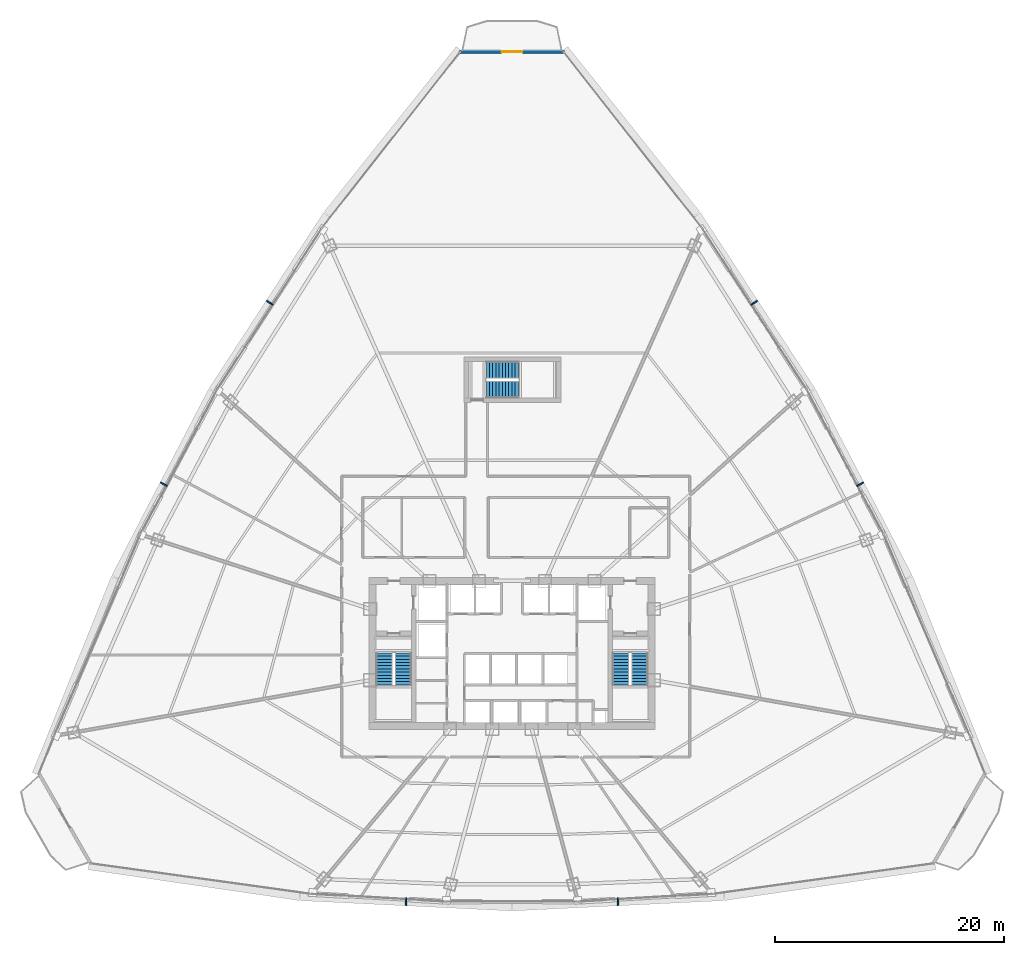
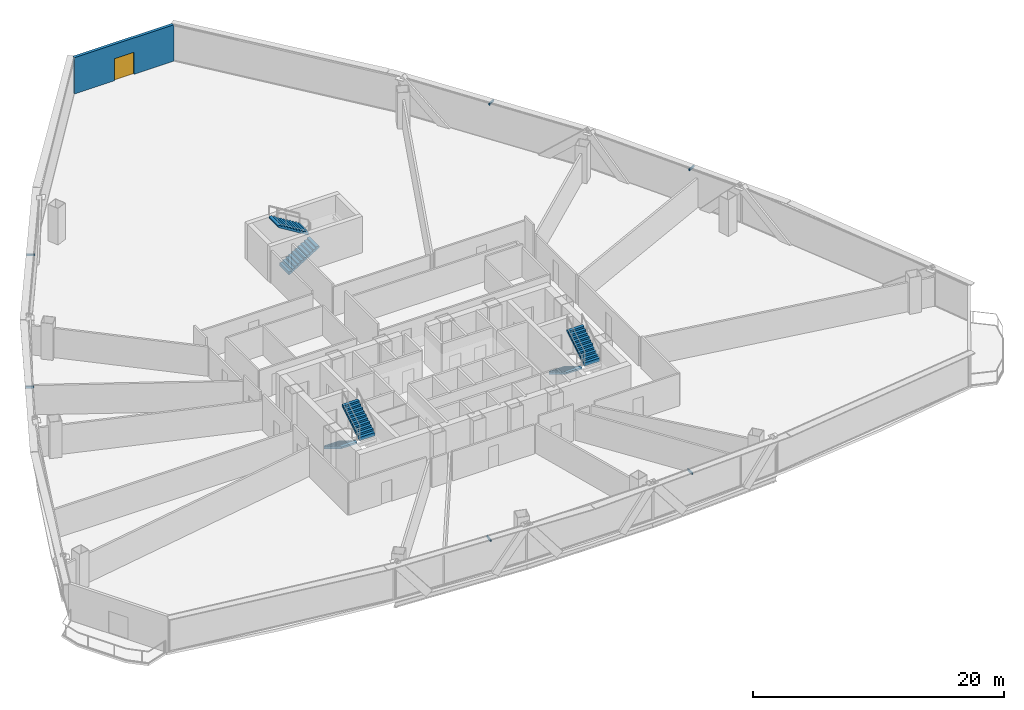
# One storey, part 32 of 36: 6 discrete accessories, 6 stair flights, 1 door, 1 wall, 1 opening, 3 elements without a shape of their own.
"""IFC4 building model written with IfcOpenShell, lengths in metres."""

from ifc_helpers import new_model, si_unit, direction, frame, frame_2d, origin, origin_with_axes, origin_2d, place, context, subcontext, project, spatial, polyline, rectangle, outline, extrude, source, transform, mapped, material, layer, layer_set, type_object, element, fill, aggregate, save


model = new_model("IFC4")

# Units and contexts
model_context = context("Model", 3, precision=1e-05, world=origin(), true_north=direction((0.0, 1.0)))
body_context = subcontext(model_context, "Body", "Model", "MODEL_VIEW")
ifc_project = project(units=[si_unit("LENGTHUNIT", "METRE"), si_unit("AREAUNIT", "SQUARE_METRE"), si_unit("VOLUMEUNIT", "CUBIC_METRE"), si_unit("PLANEANGLEUNIT", "RADIAN"), si_unit("MASSUNIT", "GRAM", prefix="KILO"), si_unit("THERMODYNAMICTEMPERATUREUNIT", "KELVIN"), si_unit("POWERUNIT", "WATT")], contexts=[model_context])

# Site, building, storey
site_placement = place(None, origin())
site = spatial("IfcSite", under=ifc_project, at=site_placement, CompositionType="ELEMENT")
building_placement = place(site_placement, origin())
building = spatial("IfcBuilding", under=site, at=building_placement, Name="Yunzhuo Pagoda Commons", CompositionType="ELEMENT")
storey_placement = place(building_placement, frame((0.0, 0.0, 107.780029296875)))
storey = spatial("IfcBuildingStorey", under=building, at=storey_placement, Name="L27", CompositionType="ELEMENT", Elevation=107.780029296875)

# Wall, opening, door
ifc_material_1 = material(Name="Precast concrete C40", Category="concrete")
ifc_layer = layer(ifc_material_1, 0.260009765625)
ifc_layer_set = layer_set([ifc_layer], Name="Precast concrete C40")
wall_type = type_object("IfcWallType", Name="W-BAL1 Corner Balcony Threshold Wall 260", PredefinedType="STANDARD", material=ifc_layer_set)
wall_placement = place(storey_placement, frame((52.572021484375, 86.489013671875, 0.0), z_axis=(0.0, 0.0, 1.0), x_axis=(-1.0, 0.0, 0.0)))
wall = element("IfcWall", 1, at=wall_placement, inside=storey, type_object=wall_type, Name="L27 corner balcony wall V3", PredefinedType="STANDARD", context=body_context, shape_type="SweptSolid", body=[
    extrude(rectangle(XDim=9.14404296875, YDim=0.260009765625, at=frame_2d((4.572021484375, 0.0))), origin(), (0.0, 0.0, 1.0), 3.5400390625),
])
opening_placement = place(wall_placement, frame((3.672119140625, 0.0, 0.0)))
opening = element("IfcOpeningElement", 2, at=opening_placement, cuts=wall, Name="Opening D-BAL1", PredefinedType="OPENING", context=body_context, shape_type="SweptSolid", body=[
    extrude(rectangle(XDim=1.800048828125, YDim=2.14990234375, at=frame_2d((0.89990234375, 1.074951171875))), frame((0.0, 0.14013671875, 0.0), z_axis=(0.0, -1.0, 0.0), x_axis=(1.0, 0.0, 0.0)), (0.0, 0.0, 1.0), 0.280029296875),
])
ifc_material_2 = material(Name="Anodized aluminium frame and tempered glazed leaf", Category="aluminium")
door_type = type_object("IfcDoorType", Name="D-BAL1 Corner Balcony Sliding Glazed Door 1800x2150", OperationType="DOUBLE_DOOR_SLIDING", PredefinedType="DOOR", material=ifc_material_2)
shared_shape_1 = source(origin(), body_context, "Body", "SweptSolid", [
    extrude(rectangle(XDim=1.800048828125, YDim=2.14990234375, at=frame_2d((0.89990234375, 1.074951171875))), frame((0.0, 0.02490234375, 0.0), z_axis=(0.0, -1.0, 0.0), x_axis=(1.0, 0.0, 0.0)), (0.0, 0.0, 1.0), 0.050048828125),
])
door_placement = place(opening_placement, origin_with_axes())
door = element("IfcDoor", 3, at=door_placement, inside=storey, type_object=door_type, Name="L27 corner balcony sliding door V3", OperationType="DOUBLE_DOOR_SLIDING", OverallHeight=2.14990234375, OverallWidth=1.800048828125, PredefinedType="DOOR", context=body_context, shape_type="MappedRepresentation", body=[
    mapped(shared_shape_1, transform((0.0, 0.0, 0.0), scale=1.0)),
])
fill(opening, door)

# Stair, stair flights
ifc_material_3 = material(Name="Concrete C40", Category="concrete")
stair_type_1 = type_object("IfcStairType", Name="ST-C1 Core Smokeproof Stair ST1", PredefinedType="HALF_TURN_STAIR", material=ifc_material_3)
stair_1_placement = place(storey_placement, origin())
stair_1 = element("IfcStair", 4, at=stair_1_placement, inside=storey, type_object=stair_type_1, Name="L27 Core smokeproof stair ST1", PredefinedType="HALF_TURN_STAIR")
stair_flight_type_1 = type_object("IfcStairFlightType", Name="STF-C1 Core Stair Flight 1450", PredefinedType="STRAIGHT", material=ifc_material_3)
shared_shape_2 = source(origin(), body_context, "Body", "SweptSolid", [
    extrude(outline(polyline([(0.0, -0.14990234375), (0.0, 0.0), (0.0, 0.172607421875), (0.280029296875, 0.172607421875), (0.280029296875, 0.345458984375), (0.56005859375, 0.345458984375), (0.56005859375, 0.51806640625), (0.840087890625, 0.51806640625), (0.840087890625, 0.69091796875), (1.1201171875, 0.69091796875), (1.1201171875, 0.863525390625), (1.39990234375, 0.863525390625), (1.39990234375, 1.036376953125), (1.679931640625, 1.036376953125), (1.679931640625, 1.208984375), (1.9599609375, 1.208984375), (1.9599609375, 1.3818359375), (2.239990234375, 1.3818359375), (2.239990234375, 1.554443359375), (2.52001953125, 1.554443359375), (2.52001953125, 1.727294921875), (2.800048828125, 1.727294921875), (2.800048828125, 1.89990234375), (2.800048828125, 1.551025390625), (0.285400390625, 0.0), (0.050048828125, -0.14990234375), (0.0, -0.14990234375)])), frame((0.0, 0.72509765625, 0.0), z_axis=(0.0, -1.0, 0.0), x_axis=(1.0, 0.0, 0.0)), (0.0, 0.0, 1.0), 1.449951171875),
])
stair_flight_1_placement = place(storey_placement, frame((36.824951171875, 33.89990234375, 0.0), z_axis=(0.0, 0.0, 1.0), x_axis=(0.0, -1.0, 0.0)))
stair_flight_1 = element("IfcStairFlight", 5, at=stair_flight_1_placement, type_object=stair_flight_type_1, Name="ST1 flight 1", NumberOfRisers=11, NumberOfTreads=10, PredefinedType="STRAIGHT", RiserHeight=0.172727273, TreadLength=0.28, context=body_context, shape_type="MappedRepresentation", body=[
    mapped(shared_shape_2, transform((0.0, 0.0, 0.0), scale=1.0)),
])
stair_flight_2_placement = place(storey_placement, frame((38.47509765625, 31.10009765625, 1.89990234375), z_axis=(0.0, 0.0, 1.0), x_axis=(0.0, 1.0, 0.0)))
stair_flight_2 = element("IfcStairFlight", 6, at=stair_flight_2_placement, type_object=stair_flight_type_1, Name="ST1 flight 2", NumberOfRisers=11, NumberOfTreads=10, PredefinedType="STRAIGHT", RiserHeight=0.172727273, TreadLength=0.28, context=body_context, shape_type="MappedRepresentation", body=[
    mapped(shared_shape_2, transform((0.0, 0.0, 0.0), scale=1.0)),
])
aggregate(stair_1, [stair_flight_1, stair_flight_2])

stair_type_2 = type_object("IfcStairType", Name="ST-C2 Core Smokeproof Stair ST2", PredefinedType="HALF_TURN_STAIR", material=ifc_material_3)
stair_2_placement = place(storey_placement, origin())
stair_2 = element("IfcStair", 7, at=stair_2_placement, inside=storey, type_object=stair_type_2, Name="L27 Core smokeproof stair ST2", PredefinedType="HALF_TURN_STAIR")
stair_flight_type_2 = type_object("IfcStairFlightType", Name="STF-C2 Core Stair Flight 1460", PredefinedType="STRAIGHT", material=ifc_material_3)
stair_flight_3_placement = place(storey_placement, frame((57.52490234375, 33.89990234375, 0.0), z_axis=(0.0, 0.0, 1.0), x_axis=(0.0, -1.0, 0.0)))
stair_flight_3 = element("IfcStairFlight", 8, at=stair_flight_3_placement, type_object=stair_flight_type_2, Name="ST2 flight 1", NumberOfRisers=11, NumberOfTreads=10, PredefinedType="STRAIGHT", RiserHeight=0.172727273, TreadLength=0.28, context=body_context, shape_type="MappedRepresentation", body=[
    mapped(shared_shape_2, transform((0.0, 0.0, 0.0), scale=1.0)),
])
stair_flight_4_placement = place(storey_placement, frame((59.175048828125, 31.10009765625, 1.89990234375), z_axis=(0.0, 0.0, 1.0), x_axis=(0.0, 1.0, 0.0)))
stair_flight_4 = element("IfcStairFlight", 9, at=stair_flight_4_placement, type_object=stair_flight_type_2, Name="ST2 flight 2", NumberOfRisers=11, NumberOfTreads=10, PredefinedType="STRAIGHT", RiserHeight=0.172727273, TreadLength=0.28, context=body_context, shape_type="MappedRepresentation", body=[
    mapped(shared_shape_2, transform((0.0, 0.0, 0.0), scale=1.0)),
])
aggregate(stair_2, [stair_flight_3, stair_flight_4])

stair_type_3 = type_object("IfcStairType", Name="ST-C3 North Tower Smokeproof Stair ST3", PredefinedType="HALF_TURN_STAIR", material=ifc_material_3)
stair_3_placement = place(storey_placement, origin())
stair_3 = element("IfcStair", 10, at=stair_3_placement, inside=storey, type_object=stair_type_3, Name="L27 North tower smokeproof stair ST3", PredefinedType="HALF_TURN_STAIR")
stair_flight_type_3 = type_object("IfcStairFlightType", Name="STF-C3 North Stair Flight 1500", PredefinedType="STRAIGHT", material=ifc_material_3)
shared_shape_3 = source(origin(), body_context, "Body", "SweptSolid", [
    extrude(outline(polyline([(0.0, -0.14990234375), (0.0, 0.0), (0.0, 0.172607421875), (0.280029296875, 0.172607421875), (0.280029296875, 0.345458984375), (0.56005859375, 0.345458984375), (0.56005859375, 0.51806640625), (0.840087890625, 0.51806640625), (0.840087890625, 0.69091796875), (1.1201171875, 0.69091796875), (1.1201171875, 0.863525390625), (1.39990234375, 0.863525390625), (1.39990234375, 1.036376953125), (1.679931640625, 1.036376953125), (1.679931640625, 1.208984375), (1.9599609375, 1.208984375), (1.9599609375, 1.3818359375), (2.239990234375, 1.3818359375), (2.239990234375, 1.554443359375), (2.52001953125, 1.554443359375), (2.52001953125, 1.727294921875), (2.800048828125, 1.727294921875), (2.800048828125, 1.89990234375), (2.800048828125, 1.551025390625), (0.285400390625, 0.0), (0.050048828125, -0.14990234375), (0.0, -0.14990234375)])), frame((0.0, 0.75, 0.0), z_axis=(0.0, -1.0, 0.0), x_axis=(1.0, 0.0, 0.0)), (0.0, 0.0, 1.0), 1.5),
])
stair_flight_5_placement = place(storey_placement, frame((45.75, 56.949951171875, 0.0), z_axis=(0.0, 0.0, 1.0), x_axis=(1.0, 0.0, 0.0)))
stair_flight_5 = element("IfcStairFlight", 11, at=stair_flight_5_placement, type_object=stair_flight_type_3, Name="ST3 flight 1", NumberOfRisers=11, NumberOfTreads=10, PredefinedType="STRAIGHT", RiserHeight=0.172727273, TreadLength=0.28, context=body_context, shape_type="MappedRepresentation", body=[
    mapped(shared_shape_3, transform((0.0, 0.0, 0.0), scale=1.0)),
])
stair_flight_6_placement = place(storey_placement, frame((48.550048828125, 58.64990234375, 1.89990234375), z_axis=(0.0, 0.0, 1.0), x_axis=(-1.0, 0.0, 0.0)))
stair_flight_6 = element("IfcStairFlight", 12, at=stair_flight_6_placement, type_object=stair_flight_type_3, Name="ST3 flight 2", NumberOfRisers=11, NumberOfTreads=10, PredefinedType="STRAIGHT", RiserHeight=0.172727273, TreadLength=0.28, context=body_context, shape_type="MappedRepresentation", body=[
    mapped(shared_shape_3, transform((0.0, 0.0, 0.0), scale=1.0)),
])
aggregate(stair_3, [stair_flight_5, stair_flight_6])

# Discrete accessories
ifc_material_4 = material(Name="Anodized aluminium 6063-T6", Category="aluminium")
discrete_accessory_type = type_object("IfcDiscreteAccessoryType", Name="BK-SUN1 Sunshade Outrigger Bracket", PredefinedType="BRACKET", material=ifc_material_4)
shared_shape_4 = source(origin(), body_context, "Body", "SweptSolid", [
    extrude(rectangle(XDim=0.1201171875, YDim=0.679931640625, at=origin_2d()), origin(), (0.0, 0.0, 1.0), 0.179931640625),
])
for number, where, z_axis, x_axis, name in (
    (13, (38.734619140625, 12.140625, 3.330078125), (0.0, 0.0, 1.0), (0.998818043775, -0.04860571396, 0.0), "L27 sunshade outrigger bracket F1.2"),
    (14, (57.265380859375, 12.140625, 3.330078125), (0.0, 0.0, 1.0), (0.998818043775, 0.04860571396, 0.0), "L27 sunshade outrigger bracket F1.3"),
    (15, (78.4619140625, 48.660400390625, 3.330078125), (0.0, 0.0, 1.0), (-0.461206683033, 0.88729273384, 0.0), "L27 sunshade outrigger bracket F2.2"),
    (16, (69.196044921875, 64.53369140625, 3.330078125), (0.0, 0.0, 1.0), (-0.545838756973, 0.837890238269, 0.0), "L27 sunshade outrigger bracket F2.3"),
    (17, (26.803955078125, 64.53369140625, 3.330078125), (0.0, 0.0, 1.0), (-0.545838756973, -0.837890238269, 0.0), "L27 sunshade outrigger bracket F3.2"),
    (18, (17.5380859375, 48.660400390625, 3.330078125), (0.0, 0.0, 1.0), (-0.461206683033, -0.88729273384, 0.0), "L27 sunshade outrigger bracket F3.3"),
):
    element("IfcDiscreteAccessory", number, at=place(storey_placement, frame(where, z_axis=z_axis, x_axis=x_axis)), inside=storey, type_object=discrete_accessory_type, Name=name, PredefinedType="BRACKET", context=body_context, shape_type="MappedRepresentation", body=[
        mapped(shared_shape_4, transform((0.0, 0.0, 0.0), scale=1.0)),
    ])

save(model, "model.ifc")
